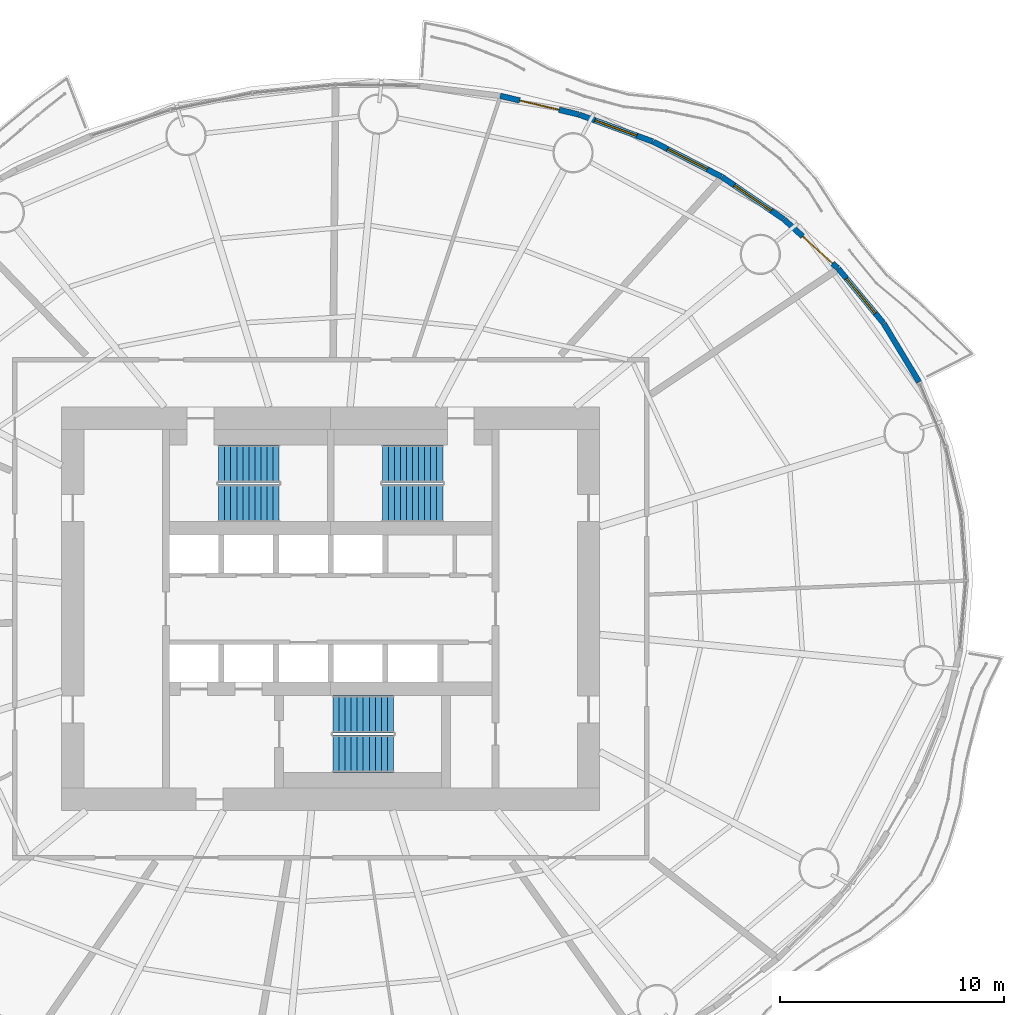
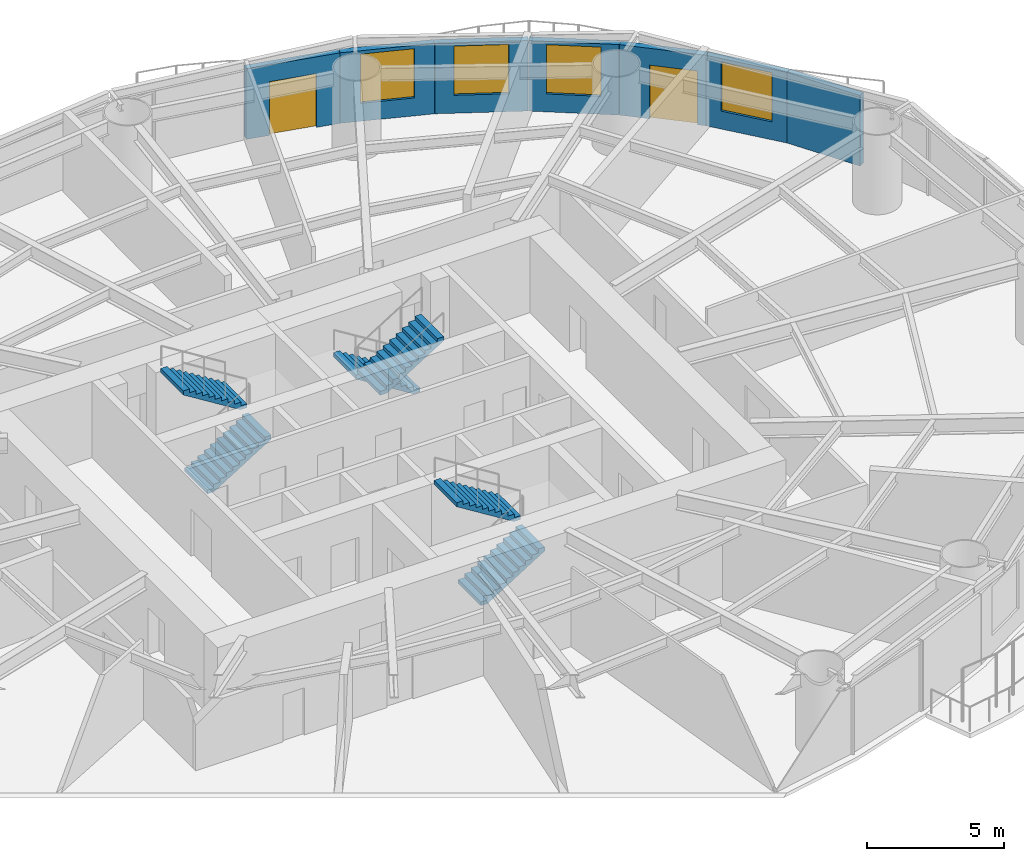
# One storey, part 11 of 16: 7 walls, 6 stair flights, 4 windows, 2 doors, 6 openings, 3 elements without a shape of their own.
"""IFC4 building model written with IfcOpenShell, lengths in metres."""

from ifc_helpers import new_model, si_unit, direction, frame, frame_2d, origin, place, context, subcontext, project, spatial, polyline, rectangle, outline, extrude, material, layer, layer_set, type_object, element, fill, aggregate, save


model = new_model("IFC4")

# Units and contexts
model_context = context("Model", 3, precision=1e-05, world=origin(), true_north=direction((0.0, 1.0)))
body_context = subcontext(model_context, "Body", "Model", "MODEL_VIEW")
ifc_project = project(units=[si_unit("LENGTHUNIT", "METRE"), si_unit("AREAUNIT", "SQUARE_METRE"), si_unit("VOLUMEUNIT", "CUBIC_METRE"), si_unit("PLANEANGLEUNIT", "RADIAN"), si_unit("MASSUNIT", "GRAM", prefix="KILO")], contexts=[model_context])

# Site, building, storey
site_placement = place(None, origin())
site = spatial("IfcSite", under=ifc_project, at=site_placement, CompositionType="ELEMENT")
building_placement = place(site_placement, origin())
building = spatial("IfcBuilding", under=site, at=building_placement, Name="Vermilion Reach Broadcast Tower", CompositionType="ELEMENT")
storey_placement = place(building_placement, frame((0.0, 0.0, 69.300048828125)))
storey = spatial("IfcBuildingStorey", under=building, at=storey_placement, Name="L14", CompositionType="ELEMENT", Elevation=69.300048828125)

# Wall
ifc_material_1 = material(Name="Terracotta rainscreen cladding", Category="masonry")
ifc_layer = layer(ifc_material_1, 0.25)
ifc_layer_set = layer_set([ifc_layer], Name="Terracotta rainscreen wall 250")
wall_type = type_object("IfcWallType", Name="Terracotta rainscreen wall 250", PredefinedType="SOLIDWALL", material=ifc_layer_set)
wall_1_placement = place(storey_placement, frame((20.245849609375, 10.11328125, 0.0), z_axis=(0.0, 0.0, 1.0), x_axis=(-0.517204963357, 0.855861569343, 0.0)))
element("IfcWall", 1, at=wall_1_placement, inside=storey, type_object=wall_type, Name="External wall L14 02", PredefinedType="SOLIDWALL", context=body_context, shape_type="SweptSolid", body=[
    extrude(rectangle(XDim=3.045166015625, YDim=0.25, at=frame_2d((1.5224609375, 0.0))), origin(), (0.0, 0.0, 1.0), 3.14990234375),
])

# Wall, opening, window
wall_2_placement = place(storey_placement, frame((18.655517578125, 12.7412109375, 0.0), z_axis=(0.0, 0.0, 1.0), x_axis=(-0.638501311246, 0.769620734867, 0.0)))
wall_2 = element("IfcWall", 2, at=wall_2_placement, inside=storey, type_object=wall_type, Name="External wall L14 03", PredefinedType="SOLIDWALL", context=body_context, shape_type="SweptSolid", body=[
    extrude(rectangle(XDim=3.156005859375, YDim=0.25, at=frame_2d((1.578125, 0.0))), origin(), (0.0, 0.0, 1.0), 3.14990234375),
])
opening_1_placement = place(wall_2_placement, frame((0.578125, 0.0, 0.800048828125)))
opening_1 = element("IfcOpeningElement", 3, at=opening_1_placement, cuts=wall_2, Name="Opening W01", PredefinedType="OPENING", context=body_context, shape_type="SweptSolid", body=[
    extrude(rectangle(XDim=2.0, YDim=2.199951171875, at=frame_2d((1.0, 1.10009765625))), frame((0.0, 0.135009765625, 0.0), z_axis=(0.0, -1.0, 0.0), x_axis=(1.0, 0.0, 0.0)), (0.0, 0.0, 1.0), 0.27001953125),
])
ifc_material_2 = material(Name="Low-e laminated clear glass in aluminium frame", Category="aluminium")
window_type = type_object("IfcWindowType", Name="Punched window 2000 x 2200 sill 800", PartitioningType="SINGLE_PANEL", PredefinedType="WINDOW", material=ifc_material_2)
window_1_placement = place(opening_1_placement, origin())
window_1 = element("IfcWindow", 4, at=window_1_placement, inside=storey, type_object=window_type, Name="Window L14 03", OverallHeight=2.199951171875, OverallWidth=2.0, PartitioningType="SINGLE_PANEL", PredefinedType="WINDOW", context=body_context, shape_type="SweptSolid", body=[
    extrude(rectangle(XDim=2.0, YDim=2.199951171875, at=frame_2d((1.0, 1.10009765625))), frame((0.0, 0.030029296875, 0.0), z_axis=(0.0, -1.0, 0.0), x_axis=(1.0, 0.0, 0.0)), (0.0, 0.0, 1.0), 0.06005859375),
])
fill(opening_1, window_1)

# Wall, opening, door
wall_3_placement = place(storey_placement, frame((16.62255859375, 15.18896484375, 0.0), z_axis=(0.0, 0.0, 1.0), x_axis=(-0.741210741085, 0.671272401712, 0.0)))
wall_3 = element("IfcWall", 5, at=wall_3_placement, inside=storey, type_object=wall_type, Name="External wall L14 04", PredefinedType="SOLIDWALL", context=body_context, shape_type="SweptSolid", body=[
    extrude(rectangle(XDim=3.239501953125, YDim=0.25, at=frame_2d((1.61962890625, 0.0))), origin(), (0.0, 0.0, 1.0), 3.14990234375),
])
opening_2_placement = place(wall_3_placement, frame((0.320068359375, 0.0, 0.0)))
opening_2 = element("IfcOpeningElement", 6, at=opening_2_placement, cuts=wall_3, Name="Opening D70", PredefinedType="OPENING", context=body_context, shape_type="SweptSolid", body=[
    extrude(rectangle(XDim=1.800048828125, YDim=2.39990234375, at=frame_2d((0.89990234375, 1.199951171875))), frame((0.0, 0.135009765625, 0.0), z_axis=(0.0, -1.0, 0.0), x_axis=(1.0, 0.0, 0.0)), (0.0, 0.0, 1.0), 0.27001953125),
])
ifc_material_3 = material(Name="Low-e laminated clear glass in aluminium frame", Category="aluminium")
door_type = type_object("IfcDoorType", Name="Balcony sliding door 1800 x 2400", OperationType="DOUBLE_DOOR_SLIDING", PredefinedType="DOOR", material=ifc_material_3)
door_1_placement = place(opening_2_placement, origin())
door_1 = element("IfcDoor", 7, at=door_1_placement, inside=storey, type_object=door_type, Name="Balcony door L14 run 01", OperationType="DOUBLE_DOOR_SLIDING", OverallHeight=2.39990234375, OverallWidth=1.800048828125, PredefinedType="DOOR", context=body_context, shape_type="SweptSolid", body=[
    extrude(rectangle(XDim=1.800048828125, YDim=2.39990234375, at=frame_2d((0.89990234375, 1.199951171875))), frame((0.0, 0.02490234375, 0.0), z_axis=(0.0, -1.0, 0.0), x_axis=(1.0, 0.0, 0.0)), (0.0, 0.0, 1.0), 0.050048828125),
])
fill(opening_2, door_1)

# Wall, opening, window
wall_4_placement = place(storey_placement, frame((14.201904296875, 17.37890625, 0.0), z_axis=(0.0, 0.0, 1.0), x_axis=(-0.824956428259, 0.565196330026, 0.0)))
wall_4 = element("IfcWall", 8, at=wall_4_placement, inside=storey, type_object=wall_type, Name="External wall L14 05", PredefinedType="SOLIDWALL", context=body_context, shape_type="SweptSolid", body=[
    extrude(rectangle(XDim=3.330078125, YDim=0.25, at=frame_2d((1.6650390625, 0.0))), origin(), (0.0, 0.0, 1.0), 3.14990234375),
])
opening_3_placement = place(wall_4_placement, frame((0.6650390625, 0.0, 0.800048828125)))
opening_3 = element("IfcOpeningElement", 9, at=opening_3_placement, cuts=wall_4, Name="Opening W01", PredefinedType="OPENING", context=body_context, shape_type="SweptSolid", body=[
    extrude(rectangle(XDim=2.0, YDim=2.199951171875, at=frame_2d((1.0, 1.10009765625))), frame((0.0, 0.135009765625, 0.0), z_axis=(0.0, -1.0, 0.0), x_axis=(1.0, 0.0, 0.0)), (0.0, 0.0, 1.0), 0.27001953125),
])
window_2_placement = place(opening_3_placement, origin())
window_2 = element("IfcWindow", 10, at=window_2_placement, inside=storey, type_object=window_type, Name="Window L14 05", OverallHeight=2.199951171875, OverallWidth=2.0, PartitioningType="SINGLE_PANEL", PredefinedType="WINDOW", context=body_context, shape_type="SweptSolid", body=[
    extrude(rectangle(XDim=2.0, YDim=2.199951171875, at=frame_2d((1.0, 1.10009765625))), frame((0.0, 0.030029296875, 0.0), z_axis=(0.0, -1.0, 0.0), x_axis=(1.0, 0.0, 0.0)), (0.0, 0.0, 1.0), 0.06005859375),
])
fill(opening_3, window_2)

wall_5_placement = place(storey_placement, frame((11.43408203125, 19.2734375, 0.0), z_axis=(0.0, 0.0, 1.0), x_axis=(-0.890540062844, 0.454904821331, 0.0)))
wall_5 = element("IfcWall", 11, at=wall_5_placement, inside=storey, type_object=wall_type, Name="External wall L14 06", PredefinedType="SOLIDWALL", context=body_context, shape_type="SweptSolid", body=[
    extrude(rectangle(XDim=3.4208984375, YDim=0.25, at=frame_2d((1.71044921875, 0.0))), origin(), (0.0, 0.0, 1.0), 3.14990234375),
])
opening_4_placement = place(wall_5_placement, frame((0.71044921875, 0.0, 0.800048828125)))
opening_4 = element("IfcOpeningElement", 12, at=opening_4_placement, cuts=wall_5, Name="Opening W01", PredefinedType="OPENING", context=body_context, shape_type="SweptSolid", body=[
    extrude(rectangle(XDim=2.0, YDim=2.199951171875, at=frame_2d((1.0, 1.10009765625))), frame((0.0, 0.135009765625, 0.0), z_axis=(0.0, -1.0, 0.0), x_axis=(1.0, 0.0, 0.0)), (0.0, 0.0, 1.0), 0.27001953125),
])
window_3_placement = place(opening_4_placement, origin())
window_3 = element("IfcWindow", 13, at=window_3_placement, inside=storey, type_object=window_type, Name="Window L14 06", OverallHeight=2.199951171875, OverallWidth=2.0, PartitioningType="SINGLE_PANEL", PredefinedType="WINDOW", context=body_context, shape_type="SweptSolid", body=[
    extrude(rectangle(XDim=2.0, YDim=2.199951171875, at=frame_2d((1.0, 1.10009765625))), frame((0.0, 0.030029296875, 0.0), z_axis=(0.0, -1.0, 0.0), x_axis=(1.0, 0.0, 0.0)), (0.0, 0.0, 1.0), 0.06005859375),
])
fill(opening_4, window_3)

wall_6_placement = place(storey_placement, frame((8.366455078125, 20.839111328125, 0.0), z_axis=(0.0, 0.0, 1.0), x_axis=(-0.939349487408, 0.34296142714, 0.0)))
wall_6 = element("IfcWall", 14, at=wall_6_placement, inside=storey, type_object=wall_type, Name="External wall L14 07", PredefinedType="SOLIDWALL", context=body_context, shape_type="SweptSolid", body=[
    extrude(rectangle(XDim=3.506591796875, YDim=0.25, at=frame_2d((1.75341796875, 0.0))), origin(), (0.0, 0.0, 1.0), 3.14990234375),
])
opening_5_placement = place(wall_6_placement, frame((0.753173828125, 0.0, 0.800048828125)))
opening_5 = element("IfcOpeningElement", 15, at=opening_5_placement, cuts=wall_6, Name="Opening W01", PredefinedType="OPENING", context=body_context, shape_type="SweptSolid", body=[
    extrude(rectangle(XDim=2.0, YDim=2.199951171875, at=frame_2d((1.0, 1.10009765625))), frame((0.0, 0.135009765625, 0.0), z_axis=(0.0, -1.0, 0.0), x_axis=(1.0, 0.0, 0.0)), (0.0, 0.0, 1.0), 0.27001953125),
])
window_4_placement = place(opening_5_placement, origin())
window_4 = element("IfcWindow", 16, at=window_4_placement, inside=storey, type_object=window_type, Name="Window L14 07", OverallHeight=2.199951171875, OverallWidth=2.0, PartitioningType="SINGLE_PANEL", PredefinedType="WINDOW", context=body_context, shape_type="SweptSolid", body=[
    extrude(rectangle(XDim=2.0, YDim=2.199951171875, at=frame_2d((1.0, 1.10009765625))), frame((0.0, 0.030029296875, 0.0), z_axis=(0.0, -1.0, 0.0), x_axis=(1.0, 0.0, 0.0)), (0.0, 0.0, 1.0), 0.06005859375),
])
fill(opening_5, window_4)

# Wall, opening, door
wall_7_placement = place(storey_placement, frame((5.051025390625, 22.04833984375, 0.0), z_axis=(0.0, 0.0, 1.0), x_axis=(-0.972918732783, 0.231147440823, 0.0)))
wall_7 = element("IfcWall", 17, at=wall_7_placement, inside=storey, type_object=wall_type, Name="External wall L14 08", PredefinedType="SOLIDWALL", context=body_context, shape_type="SweptSolid", body=[
    extrude(rectangle(XDim=3.58154296875, YDim=0.25, at=frame_2d((1.790771484375, 0.0))), origin(), (0.0, 0.0, 1.0), 3.14990234375),
])
opening_6_placement = place(wall_7_placement, frame((0.89111328125, 0.0, 0.0)))
opening_6 = element("IfcOpeningElement", 18, at=opening_6_placement, cuts=wall_7, Name="Opening D70", PredefinedType="OPENING", context=body_context, shape_type="SweptSolid", body=[
    extrude(rectangle(XDim=1.800048828125, YDim=2.39990234375, at=frame_2d((0.89990234375, 1.199951171875))), frame((0.0, 0.135009765625, 0.0), z_axis=(0.0, -1.0, 0.0), x_axis=(1.0, 0.0, 0.0)), (0.0, 0.0, 1.0), 0.27001953125),
])
door_2_placement = place(opening_6_placement, origin())
door_2 = element("IfcDoor", 19, at=door_2_placement, inside=storey, type_object=door_type, Name="Balcony door L14 run 02", OperationType="DOUBLE_DOOR_SLIDING", OverallHeight=2.39990234375, OverallWidth=1.800048828125, PredefinedType="DOOR", context=body_context, shape_type="SweptSolid", body=[
    extrude(rectangle(XDim=1.800048828125, YDim=2.39990234375, at=frame_2d((0.89990234375, 1.199951171875))), frame((0.0, 0.02490234375, 0.0), z_axis=(0.0, -1.0, 0.0), x_axis=(1.0, 0.0, 0.0)), (0.0, 0.0, 1.0), 0.050048828125),
])
fill(opening_6, door_2)

# Stair, stair flights
ifc_material_4 = material(Name="Concrete C40", Category="concrete")
stair_type = type_object("IfcStairType", Name="Exit stair RC 22 risers 168 mm", PredefinedType="HALF_TURN_STAIR", material=ifc_material_4)
placement = place(storey_placement, origin())
stair_1 = element("IfcStair", 20, at=placement, inside=storey, type_object=stair_type, Name="L14 Exit stair ST1", PredefinedType="HALF_TURN_STAIR")
ifc_material_5 = material(Name="Concrete C40", Category="concrete")
stair_flight_type = type_object("IfcStairFlightType", Name="Exit stair flight RC 11 risers", PredefinedType="STRAIGHT", material=ifc_material_5)
stair_flight_1_placement = place(storey_placement, frame((-11.0, 4.7099609375, 0.0), z_axis=(0.0, 0.0, 1.0), x_axis=(1.0, 0.0, 0.0)))
stair_flight_1 = element("IfcStairFlight", 21, at=stair_flight_1_placement, type_object=stair_flight_type, Name="ST1 flight 1", NumberOfRisers=11, NumberOfTreads=10, PredefinedType="STRAIGHT", RiserHeight=0.168181818, TreadLength=0.27, context=body_context, shape_type="SweptSolid", body=[
    extrude(outline(polyline([(0.0, 0.0), (0.0, 0.168212890625), (0.27001953125, 0.168212890625), (0.27001953125, 0.33642578125), (0.5400390625, 0.33642578125), (0.5400390625, 0.504638671875), (0.81005859375, 0.504638671875), (0.81005859375, 0.672607421875), (1.080078125, 0.672607421875), (1.080078125, 0.8408203125), (1.35009765625, 0.8408203125), (1.35009765625, 1.009033203125), (1.6201171875, 1.009033203125), (1.6201171875, 1.17724609375), (1.889892578125, 1.17724609375), (1.889892578125, 1.345458984375), (2.159912109375, 1.345458984375), (2.159912109375, 1.513671875), (2.429931640625, 1.513671875), (2.429931640625, 1.681884765625), (2.699951171875, 1.681884765625), (2.699951171875, 1.85009765625), (2.699951171875, 1.505126953125), (0.283447265625, 0.0), (0.0, 0.0)])), frame((0.0, 0.830078125, 0.0), z_axis=(0.0, -1.0, 0.0), x_axis=(1.0, 0.0, 0.0)), (0.0, 0.0, 1.0), 1.659912109375),
])
stair_flight_2_placement = place(storey_placement, frame((-8.300048828125, 6.469970703125, 1.849853515625), z_axis=(0.0, 0.0, 1.0), x_axis=(-1.0, 0.0, 0.0)))
stair_flight_2 = element("IfcStairFlight", 22, at=stair_flight_2_placement, type_object=stair_flight_type, Name="ST1 flight 2", NumberOfRisers=11, NumberOfTreads=10, PredefinedType="STRAIGHT", RiserHeight=0.168181818, TreadLength=0.27, context=body_context, shape_type="SweptSolid", body=[
    extrude(outline(polyline([(0.0, 0.0), (0.0, 0.168212890625), (0.27001953125, 0.168212890625), (0.27001953125, 0.33642578125), (0.5400390625, 0.33642578125), (0.5400390625, 0.504638671875), (0.81005859375, 0.504638671875), (0.81005859375, 0.672607421875), (1.080078125, 0.672607421875), (1.080078125, 0.8408203125), (1.35009765625, 0.8408203125), (1.35009765625, 1.009033203125), (1.6201171875, 1.009033203125), (1.6201171875, 1.17724609375), (1.889892578125, 1.17724609375), (1.889892578125, 1.345458984375), (2.159912109375, 1.345458984375), (2.159912109375, 1.513671875), (2.429931640625, 1.513671875), (2.429931640625, 1.681884765625), (2.699951171875, 1.681884765625), (2.699951171875, 1.85009765625), (2.699951171875, 1.505126953125), (0.283447265625, 0.0), (0.0, 0.0)])), frame((0.0, 0.830078125, 0.0), z_axis=(0.0, -1.0, 0.0), x_axis=(1.0, 0.0, 0.0)), (0.0, 0.0, 1.0), 1.659912109375),
])
aggregate(stair_1, [stair_flight_1, stair_flight_2])

stair_2 = element("IfcStair", 23, at=placement, inside=storey, type_object=stair_type, Name="L14 Exit stair ST2", PredefinedType="HALF_TURN_STAIR")
stair_flight_3_placement = place(storey_placement, frame((-1.0, 6.469970703125, 0.0), z_axis=(0.0, 0.0, 1.0), x_axis=(-1.0, 0.0, 0.0)))
stair_flight_3 = element("IfcStairFlight", 24, at=stair_flight_3_placement, type_object=stair_flight_type, Name="ST2 flight 1", NumberOfRisers=11, NumberOfTreads=10, PredefinedType="STRAIGHT", RiserHeight=0.168181818, TreadLength=0.27, context=body_context, shape_type="SweptSolid", body=[
    extrude(outline(polyline([(0.0, 0.0), (0.0, 0.168212890625), (0.27001953125, 0.168212890625), (0.27001953125, 0.33642578125), (0.5400390625, 0.33642578125), (0.5400390625, 0.504638671875), (0.81005859375, 0.504638671875), (0.81005859375, 0.672607421875), (1.080078125, 0.672607421875), (1.080078125, 0.8408203125), (1.35009765625, 0.8408203125), (1.35009765625, 1.009033203125), (1.6201171875, 1.009033203125), (1.6201171875, 1.17724609375), (1.889892578125, 1.17724609375), (1.889892578125, 1.345458984375), (2.159912109375, 1.345458984375), (2.159912109375, 1.513671875), (2.429931640625, 1.513671875), (2.429931640625, 1.681884765625), (2.699951171875, 1.681884765625), (2.699951171875, 1.85009765625), (2.699951171875, 1.505126953125), (0.283447265625, 0.0), (0.0, 0.0)])), frame((0.0, 0.830078125, 0.0), z_axis=(0.0, -1.0, 0.0), x_axis=(1.0, 0.0, 0.0)), (0.0, 0.0, 1.0), 1.659912109375),
])
stair_flight_4_placement = place(storey_placement, frame((-3.699951171875, 4.7099609375, 1.849853515625), z_axis=(0.0, 0.0, 1.0), x_axis=(1.0, 0.0, 0.0)))
stair_flight_4 = element("IfcStairFlight", 25, at=stair_flight_4_placement, type_object=stair_flight_type, Name="ST2 flight 2", NumberOfRisers=11, NumberOfTreads=10, PredefinedType="STRAIGHT", RiserHeight=0.168181818, TreadLength=0.27, context=body_context, shape_type="SweptSolid", body=[
    extrude(outline(polyline([(0.0, 0.0), (0.0, 0.168212890625), (0.27001953125, 0.168212890625), (0.27001953125, 0.33642578125), (0.5400390625, 0.33642578125), (0.5400390625, 0.504638671875), (0.81005859375, 0.504638671875), (0.81005859375, 0.672607421875), (1.080078125, 0.672607421875), (1.080078125, 0.8408203125), (1.35009765625, 0.8408203125), (1.35009765625, 1.009033203125), (1.6201171875, 1.009033203125), (1.6201171875, 1.17724609375), (1.889892578125, 1.17724609375), (1.889892578125, 1.345458984375), (2.159912109375, 1.345458984375), (2.159912109375, 1.513671875), (2.429931640625, 1.513671875), (2.429931640625, 1.681884765625), (2.699951171875, 1.681884765625), (2.699951171875, 1.85009765625), (2.699951171875, 1.505126953125), (0.283447265625, 0.0), (0.0, 0.0)])), frame((0.0, 0.830078125, 0.0), z_axis=(0.0, -1.0, 0.0), x_axis=(1.0, 0.0, 0.0)), (0.0, 0.0, 1.0), 1.659912109375),
])
aggregate(stair_2, [stair_flight_3, stair_flight_4])

stair_3 = element("IfcStair", 26, at=placement, inside=storey, type_object=stair_type, Name="L14 Exit stair ST3", PredefinedType="HALF_TURN_STAIR")
stair_flight_5_placement = place(storey_placement, frame((-5.89990234375, -6.469970703125, 0.0), z_axis=(0.0, 0.0, 1.0), x_axis=(1.0, 0.0, 0.0)))
stair_flight_5 = element("IfcStairFlight", 27, at=stair_flight_5_placement, type_object=stair_flight_type, Name="ST3 flight 1", NumberOfRisers=11, NumberOfTreads=10, PredefinedType="STRAIGHT", RiserHeight=0.168181818, TreadLength=0.27, context=body_context, shape_type="SweptSolid", body=[
    extrude(outline(polyline([(0.0, 0.0), (0.0, 0.168212890625), (0.27001953125, 0.168212890625), (0.27001953125, 0.33642578125), (0.5400390625, 0.33642578125), (0.5400390625, 0.504638671875), (0.81005859375, 0.504638671875), (0.81005859375, 0.672607421875), (1.080078125, 0.672607421875), (1.080078125, 0.8408203125), (1.35009765625, 0.8408203125), (1.35009765625, 1.009033203125), (1.6201171875, 1.009033203125), (1.6201171875, 1.17724609375), (1.889892578125, 1.17724609375), (1.889892578125, 1.345458984375), (2.159912109375, 1.345458984375), (2.159912109375, 1.513671875), (2.429931640625, 1.513671875), (2.429931640625, 1.681884765625), (2.699951171875, 1.681884765625), (2.699951171875, 1.85009765625), (2.699951171875, 1.505126953125), (0.283447265625, 0.0), (0.0, 0.0)])), frame((0.0, 0.830078125, 0.0), z_axis=(0.0, -1.0, 0.0), x_axis=(1.0, 0.0, 0.0)), (0.0, 0.0, 1.0), 1.659912109375),
])
stair_flight_6_placement = place(storey_placement, frame((-3.199951171875, -4.7099609375, 1.849853515625), z_axis=(0.0, 0.0, 1.0), x_axis=(-1.0, 0.0, 0.0)))
stair_flight_6 = element("IfcStairFlight", 28, at=stair_flight_6_placement, type_object=stair_flight_type, Name="ST3 flight 2", NumberOfRisers=11, NumberOfTreads=10, PredefinedType="STRAIGHT", RiserHeight=0.168181818, TreadLength=0.27, context=body_context, shape_type="SweptSolid", body=[
    extrude(outline(polyline([(0.0, 0.0), (0.0, 0.168212890625), (0.27001953125, 0.168212890625), (0.27001953125, 0.33642578125), (0.5400390625, 0.33642578125), (0.5400390625, 0.504638671875), (0.81005859375, 0.504638671875), (0.81005859375, 0.672607421875), (1.080078125, 0.672607421875), (1.080078125, 0.8408203125), (1.35009765625, 0.8408203125), (1.35009765625, 1.009033203125), (1.6201171875, 1.009033203125), (1.6201171875, 1.17724609375), (1.889892578125, 1.17724609375), (1.889892578125, 1.345458984375), (2.159912109375, 1.345458984375), (2.159912109375, 1.513671875), (2.429931640625, 1.513671875), (2.429931640625, 1.681884765625), (2.699951171875, 1.681884765625), (2.699951171875, 1.85009765625), (2.699951171875, 1.505126953125), (0.283447265625, 0.0), (0.0, 0.0)])), frame((0.0, 0.830078125, 0.0), z_axis=(0.0, -1.0, 0.0), x_axis=(1.0, 0.0, 0.0)), (0.0, 0.0, 1.0), 1.659912109375),
])
aggregate(stair_3, [stair_flight_5, stair_flight_6])

save(model, "model.ifc")
